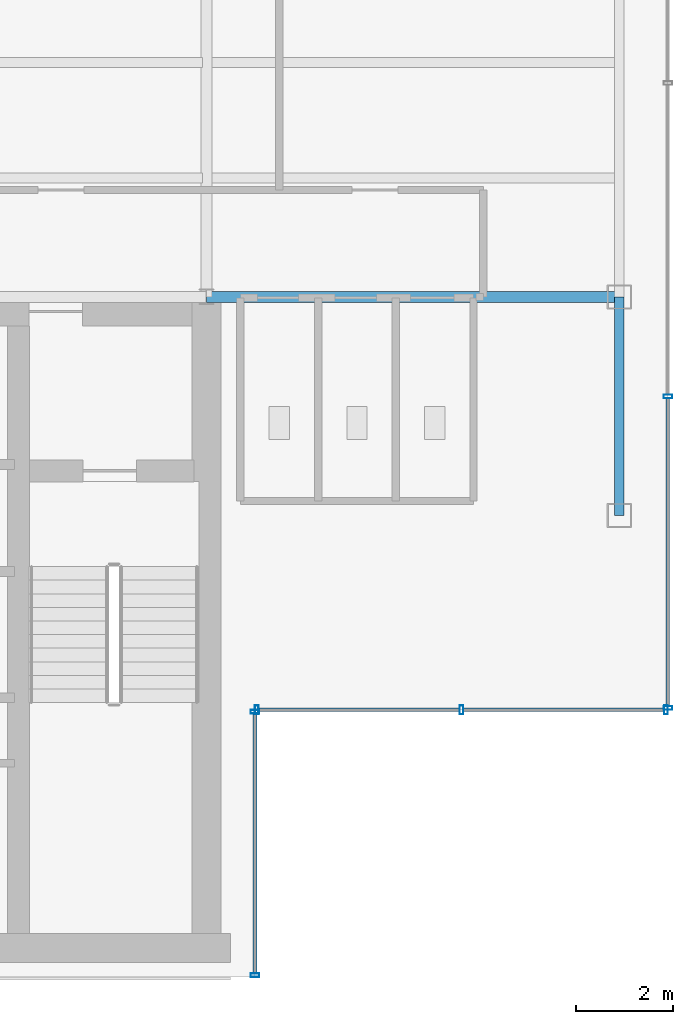
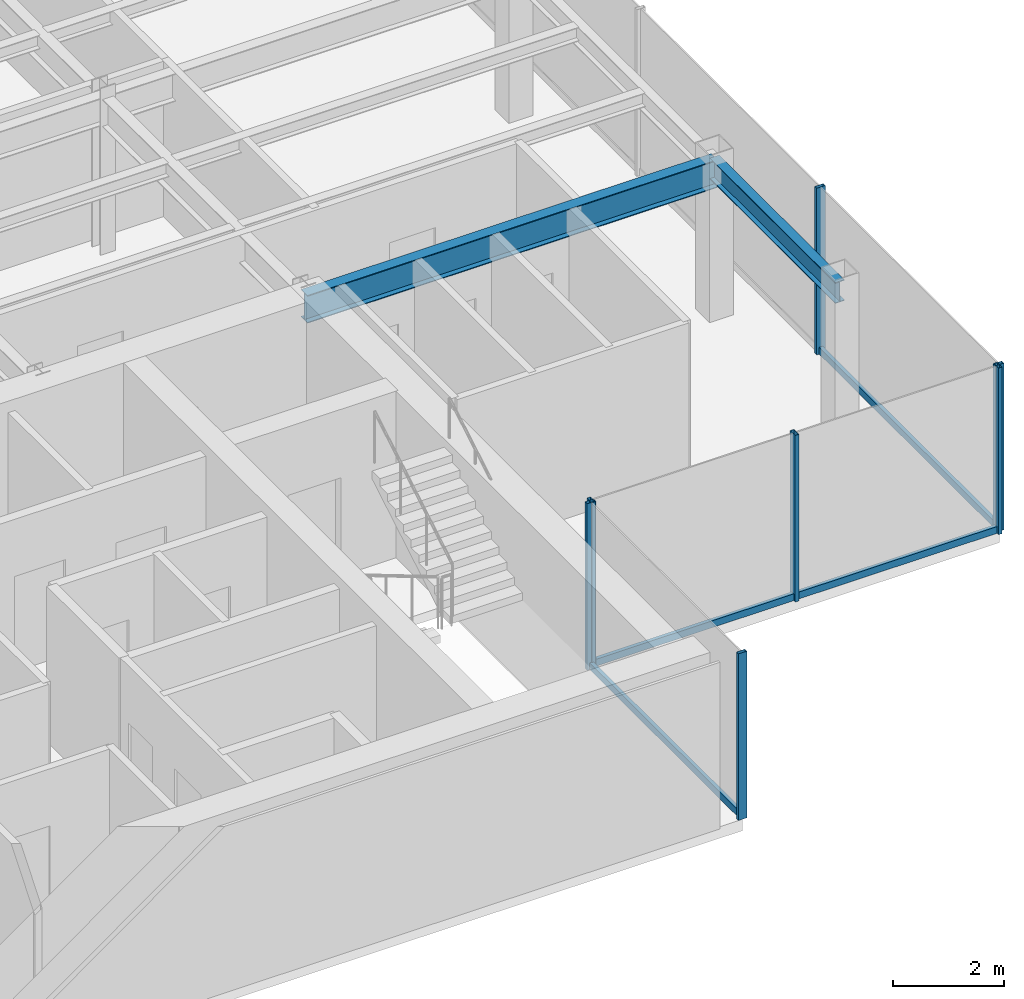
# One storey, part 9 of 22: 11 members, 2 beams, 3 elements without a shape of their own.
"""IFC4 building model written with IfcOpenShell, lengths in metres."""

from ifc_helpers import new_model, si_unit, derived_unit, direction, frame, origin, origin_2d, place, context, subcontext, project, spatial, hollow_rectangle, i_section, extrude, source, transform, mapped, material, material_profile, profile_set, type_object, element, aggregate, save


model = new_model("IFC4")

# Units and contexts
model_context = context("Model", 3, precision=1e-05, world=origin(), true_north=direction((0.0, 1.0)))
body_context = subcontext(model_context, "Body", "Model", "MODEL_VIEW")
ifc_project = project(units=[si_unit("LENGTHUNIT", "METRE"), si_unit("AREAUNIT", "SQUARE_METRE"), si_unit("VOLUMEUNIT", "CUBIC_METRE"), si_unit("PLANEANGLEUNIT", "RADIAN"), si_unit("MASSUNIT", "GRAM", prefix="KILO"), derived_unit("THERMALTRANSMITTANCEUNIT", [(si_unit("POWERUNIT", "WATT"), 1), (si_unit("LENGTHUNIT", "METRE"), -2), (si_unit("THERMODYNAMICTEMPERATUREUNIT", "KELVIN"), -1)])], contexts=[model_context])

# Site, building, storey
site_placement = place(None, origin())
site = spatial("IfcSite", under=ifc_project, at=site_placement, CompositionType="ELEMENT")
building_placement = place(site_placement, origin())
building = spatial("IfcBuilding", under=site, at=building_placement, Name="Skarnbrae Concourse Arena and Tower", CompositionType="ELEMENT")
storey_placement = place(building_placement, frame((0.0, 0.0, 277.050048828125)))
storey = spatial("IfcBuildingStorey", under=building, at=storey_placement, Name="L72", CompositionType="ELEMENT", Elevation=277.050048828125)

# Beams
ifc_material_1 = material(Name="Steel CSA G40.21 350W", Category="steel")
ifc_material_profile_1 = material_profile(ifc_material_1, i_section(OverallWidth=0.22802734375, OverallDepth=0.60791015625, WebThickness=0.01123046875, FlangeThickness=0.017333984375, at=origin_2d()), Name="W610X113")
ifc_profile_set_1 = profile_set([ifc_material_profile_1], Name="Steel CSA G40.21 350W")
beam_type_1 = type_object("IfcBeamType", Name="BM-GIRD-W610X113", PredefinedType="BEAM", material=ifc_profile_set_1)
shared_shape_1 = source(origin(), body_context, "Body", "SweptSolid", [
    extrude(i_section(OverallWidth=0.22802734375, OverallDepth=0.60791015625, WebThickness=0.01123046875, FlangeThickness=0.017333984375, at=origin_2d()), origin(), (0.0, 0.0, 1.0), 8.5),
])
beam_1_placement = place(storey_placement, frame((33.5, 14.0, 3.095947265625), z_axis=(1.0, 0.0, 0.0), x_axis=(0.0, 1.0, 0.0)))
element("IfcBeam", 1, at=beam_1_placement, inside=storey, type_object=beam_type_1, Name="L72 Primary E-W girder Y14.0-6", PredefinedType="BEAM", context=body_context, shape_type="MappedRepresentation", body=[
    mapped(shared_shape_1, transform((0.0, 0.0, 0.0))),
])
ifc_material_profile_2 = material_profile(ifc_material_1, i_section(OverallWidth=0.19091796875, OverallDepth=0.4599609375, WebThickness=0.010009765625, FlangeThickness=0.01611328125, at=origin_2d()), Name="W460X82")
ifc_profile_set_2 = profile_set([ifc_material_profile_2], Name="Steel CSA G40.21 350W")
beam_type_2 = type_object("IfcBeamType", Name="BM-SPAN-W460X82", PredefinedType="SPANDREL", material=ifc_profile_set_2)
shared_shape_2 = source(origin(), body_context, "Body", "SweptSolid", [
    extrude(i_section(OverallWidth=0.19091796875, OverallDepth=0.4599609375, WebThickness=0.010009765625, FlangeThickness=0.01611328125, at=origin_2d()), origin(), (0.0, 0.0, 1.0), 4.5),
])
beam_2_placement = place(storey_placement, frame((42.0, 9.5, 3.169921875), z_axis=(0.0, 1.0, 0.0), x_axis=(-1.0, 0.0, 0.0)))
element("IfcBeam", 2, at=beam_2_placement, inside=storey, type_object=beam_type_2, Name="L72 Perimeter spandrel X42.0-1", PredefinedType="SPANDREL", context=body_context, shape_type="MappedRepresentation", body=[
    mapped(shared_shape_2, transform((0.0, 0.0, 0.0))),
])

# Curtain wall, members
ifc_material_2 = material(Name="Bronze anodised aluminium 6063-T6", Category="aluminium")
curtain_wall_type = type_object("IfcCurtainWallType", Name="CW-SYS-05-HIGHZONE", PredefinedType="USERDEFINED", material=ifc_material_2)
curtain_wall_1_placement = place(storey_placement, origin())
curtain_wall_1 = element("IfcCurtainWall", 3, at=curtain_wall_1_placement, inside=storey, type_object=curtain_wall_type, Name="L72 Unitised curtain wall CW-L72-E02", ObjectType="UNITISED CURTAIN WALL", PredefinedType="USERDEFINED")
ifc_material_profile_3 = material_profile(ifc_material_2, hollow_rectangle(XDim=0.074951171875, YDim=0.179931640625, WallThickness=0.00390625, at=origin_2d()), Name="ALU-MULL-75X180")
ifc_profile_set_3 = profile_set([ifc_material_profile_3], Name="Bronze anodised aluminium 6063-T6")
member_type_1 = type_object("IfcMemberType", Name="CWM-CW-05", PredefinedType="MULLION", material=ifc_profile_set_3)
shared_shape_3 = source(origin(), body_context, "Body", "SweptSolid", [
    extrude(hollow_rectangle(XDim=0.074951171875, YDim=0.179931640625, WallThickness=0.00390625, at=origin_2d()), origin(), (0.0, 0.0, 1.0), 3.64990234375),
])
member_1_placement = place(storey_placement, frame((34.5, 0.03759765625, 0.0), z_axis=(0.0, 0.0, 1.0), x_axis=(0.0, 1.0, 0.0)))
member_1 = element("IfcMember", 4, at=member_1_placement, type_object=member_type_1, Name="CW-L72-E02 Mullion 1", PredefinedType="MULLION", context=body_context, shape_type="MappedRepresentation", body=[
    mapped(shared_shape_3, transform((0.0, 0.0, 0.0))),
])
member_2_placement = place(storey_placement, frame((34.5, 5.46240234375, 0.0), z_axis=(0.0, 0.0, 1.0), x_axis=(0.0, 1.0, 0.0)))
member_2 = element("IfcMember", 5, at=member_2_placement, type_object=member_type_1, Name="CW-L72-E02 Mullion 2", PredefinedType="MULLION", context=body_context, shape_type="MappedRepresentation", body=[
    mapped(shared_shape_3, transform((0.0, 0.0, 0.0))),
])

curtain_wall_2_placement = place(storey_placement, origin())
curtain_wall_2 = element("IfcCurtainWall", 6, at=curtain_wall_2_placement, inside=storey, type_object=curtain_wall_type, Name="L72 Unitised curtain wall CW-L72-E03", ObjectType="UNITISED CURTAIN WALL", PredefinedType="USERDEFINED")
member_3_placement = place(storey_placement, frame((34.53759765625, 5.5, 0.0), z_axis=(0.0, 0.0, 1.0), x_axis=(1.0, 0.0, 0.0)))
member_3 = element("IfcMember", 7, at=member_3_placement, type_object=member_type_1, Name="CW-L72-E03 Mullion 1", PredefinedType="MULLION", context=body_context, shape_type="MappedRepresentation", body=[
    mapped(shared_shape_3, transform((0.0, 0.0, 0.0))),
])
member_4_placement = place(storey_placement, frame((38.75, 5.5, 0.0), z_axis=(0.0, 0.0, 1.0), x_axis=(1.0, 0.0, 0.0)))
member_4 = element("IfcMember", 8, at=member_4_placement, type_object=member_type_1, Name="CW-L72-E03 Mullion 2", PredefinedType="MULLION", context=body_context, shape_type="MappedRepresentation", body=[
    mapped(shared_shape_3, transform((0.0, 0.0, 0.0))),
])
member_5_placement = place(storey_placement, frame((42.96240234375, 5.5, 0.0), z_axis=(0.0, 0.0, 1.0), x_axis=(1.0, 0.0, 0.0)))
member_5 = element("IfcMember", 9, at=member_5_placement, type_object=member_type_1, Name="CW-L72-E03 Mullion 3", PredefinedType="MULLION", context=body_context, shape_type="MappedRepresentation", body=[
    mapped(shared_shape_3, transform((0.0, 0.0, 0.0))),
])

curtain_wall_3_placement = place(storey_placement, origin())
curtain_wall_3 = element("IfcCurtainWall", 10, at=curtain_wall_3_placement, inside=storey, type_object=curtain_wall_type, Name="L72 Unitised curtain wall CW-L72-E04", ObjectType="UNITISED CURTAIN WALL", PredefinedType="USERDEFINED")
member_6_placement = place(storey_placement, frame((43.0, 5.53759765625, 0.0), z_axis=(0.0, 0.0, 1.0), x_axis=(0.0, 1.0, 0.0)))
member_6 = element("IfcMember", 11, at=member_6_placement, type_object=member_type_1, Name="CW-L72-E04 Mullion 1", PredefinedType="MULLION", context=body_context, shape_type="MappedRepresentation", body=[
    mapped(shared_shape_3, transform((0.0, 0.0, 0.0))),
])
member_7_placement = place(storey_placement, frame((43.0, 11.949951171875, 0.0), z_axis=(0.0, 0.0, 1.0), x_axis=(0.0, 1.0, 0.0)))
member_7 = element("IfcMember", 12, at=member_7_placement, type_object=member_type_1, Name="CW-L72-E04 Mullion 2", PredefinedType="MULLION", context=body_context, shape_type="MappedRepresentation", body=[
    mapped(shared_shape_3, transform((0.0, 0.0, 0.0))),
])

# Member
ifc_material_profile_4 = material_profile(ifc_material_2, hollow_rectangle(XDim=0.074951171875, YDim=0.14990234375, WallThickness=0.00390625, at=origin_2d()), Name="ALU-TRAN-75X150")
ifc_profile_set_4 = profile_set([ifc_material_profile_4], Name="Bronze anodised aluminium 6063-T6")
member_type_2 = type_object("IfcMemberType", Name="CWT-CW-05", PredefinedType="USERDEFINED", material=ifc_profile_set_4)
shared_shape_4 = source(origin(), body_context, "Body", "SweptSolid", [
    extrude(hollow_rectangle(XDim=0.074951171875, YDim=0.14990234375, WallThickness=0.00390625, at=origin_2d()), origin(), (0.0, 0.0, 1.0), 5.35009765625),
])
member_8_placement = place(storey_placement, frame((34.5, 0.074951171875, 0.074951171875), z_axis=(0.0, 1.0, 0.0), x_axis=(-1.0, 0.0, 0.0)))
member_8 = element("IfcMember", 13, at=member_8_placement, type_object=member_type_2, Name="CW-L72-E02 Transom 1", ObjectType="TRANSOM", PredefinedType="USERDEFINED", context=body_context, shape_type="MappedRepresentation", body=[
    mapped(shared_shape_4, transform((0.0, 0.0, 0.0))),
])

aggregate(curtain_wall_1, [member_1, member_2, member_8])

shared_shape_5 = source(origin(), body_context, "Body", "SweptSolid", [
    extrude(hollow_rectangle(XDim=0.074951171875, YDim=0.14990234375, WallThickness=0.00390625, at=origin_2d()), origin(), (0.0, 0.0, 1.0), 4.137451171875),
])
member_9_placement = place(storey_placement, frame((34.574951171875, 5.5, 0.074951171875), z_axis=(1.0, 0.0, 0.0), x_axis=(0.0, 1.0, 0.0)))
member_9 = element("IfcMember", 14, at=member_9_placement, type_object=member_type_2, Name="CW-L72-E03 Transom 1", ObjectType="TRANSOM", PredefinedType="USERDEFINED", context=body_context, shape_type="MappedRepresentation", body=[
    mapped(shared_shape_5, transform((0.0, 0.0, 0.0))),
])

member_10_placement = place(storey_placement, frame((38.78759765625, 5.5, 0.074951171875), z_axis=(1.0, 0.0, 0.0), x_axis=(0.0, 1.0, 0.0)))
member_10 = element("IfcMember", 15, at=member_10_placement, type_object=member_type_2, Name="CW-L72-E03 Transom 2", ObjectType="TRANSOM", PredefinedType="USERDEFINED", context=body_context, shape_type="MappedRepresentation", body=[
    mapped(shared_shape_5, transform((0.0, 0.0, 0.0))),
])

aggregate(curtain_wall_2, [member_3, member_4, member_5, member_9, member_10])

shared_shape_6 = source(origin(), body_context, "Body", "SweptSolid", [
    extrude(hollow_rectangle(XDim=0.074951171875, YDim=0.14990234375, WallThickness=0.00390625, at=origin_2d()), origin(), (0.0, 0.0, 1.0), 6.337646484375),
])
member_11_placement = place(storey_placement, frame((43.0, 5.574951171875, 0.074951171875), z_axis=(0.0, 1.0, 0.0), x_axis=(-1.0, 0.0, 0.0)))
member_11 = element("IfcMember", 16, at=member_11_placement, type_object=member_type_2, Name="CW-L72-E04 Transom 1", ObjectType="TRANSOM", PredefinedType="USERDEFINED", context=body_context, shape_type="MappedRepresentation", body=[
    mapped(shared_shape_6, transform((0.0, 0.0, 0.0))),
])

aggregate(curtain_wall_3, [member_6, member_7, member_11])

save(model, "model.ifc")
